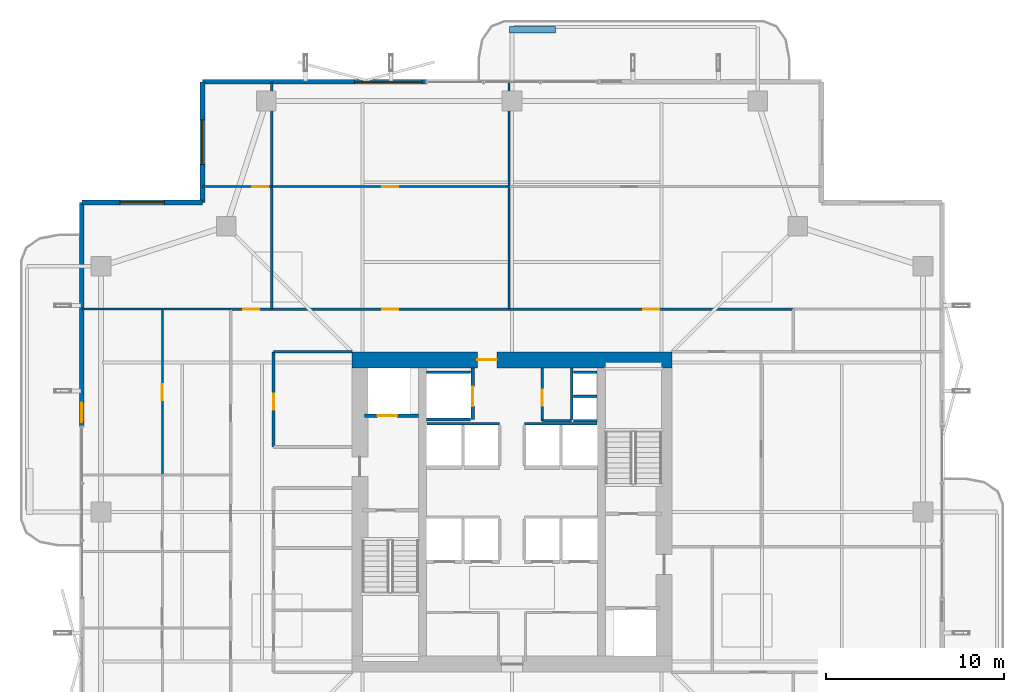
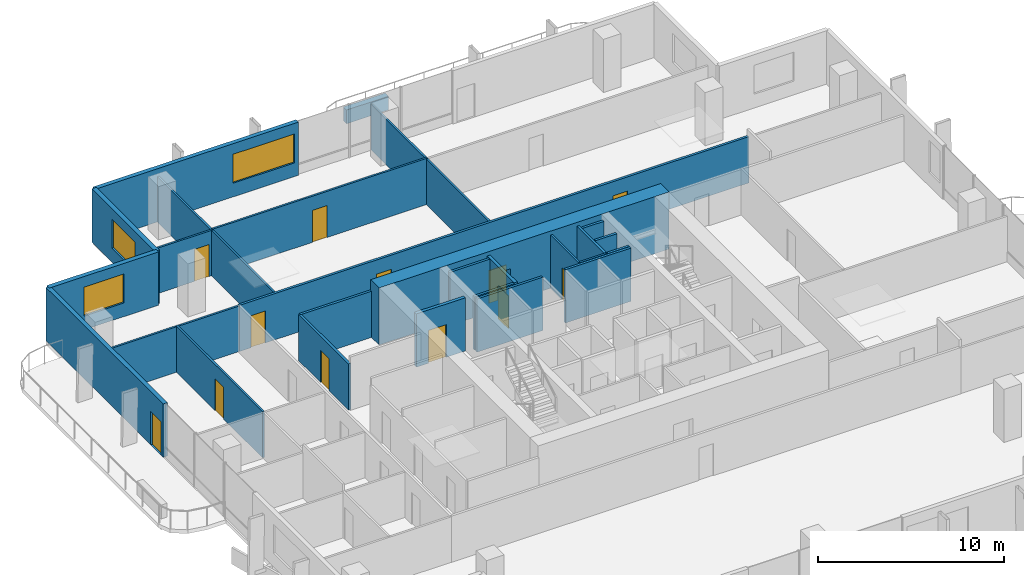
# One storey, part 21 of 25: 27 walls, 12 doors, 3 windows, 15 openings.
"""IFC4 building model written with IfcOpenShell, lengths in metres."""

from ifc_helpers import new_model, si_unit, direction, frame, frame_2d, origin, place, context, subcontext, project, spatial, rectangle, extrude, material, layer, layer_set, type_object, element, fill, save


model = new_model("IFC4")

# Units and contexts
model_context = context("Model", 3, precision=1e-05, world=origin(), true_north=direction((0.0, 1.0)))
body_context = subcontext(model_context, "Body", "Model", "MODEL_VIEW")
ifc_project = project(units=[si_unit("LENGTHUNIT", "METRE"), si_unit("AREAUNIT", "SQUARE_METRE"), si_unit("VOLUMEUNIT", "CUBIC_METRE"), si_unit("PLANEANGLEUNIT", "RADIAN"), si_unit("MASSUNIT", "GRAM", prefix="KILO")], contexts=[model_context])

# Site, building, storey
site_placement = place(None, origin())
site = spatial("IfcSite", under=ifc_project, at=site_placement, CompositionType="ELEMENT")
building_placement = place(site_placement, origin())
building = spatial("IfcBuilding", under=site, at=building_placement, Name="Belovzor Exchange Tower", CompositionType="ELEMENT")
storey_placement = place(building_placement, frame((0.0, 0.0, 172.050048828125)))
storey = spatial("IfcBuildingStorey", under=building, at=storey_placement, Name="L42", CompositionType="ELEMENT", Elevation=172.050048828125)

# Wall, opening, door
ifc_material_1 = material(Name="Acoustic Plasterboard on Galvanised Studs", Category="gypsum")
ifc_layer_1 = layer(ifc_material_1, 0.1201171875)
ifc_layer_set_1 = layer_set([ifc_layer_1], Name="Acoustic Plasterboard on Galvanised Studs")
wall_type_1 = type_object("IfcWallType", Name="Acoustic Double-Stud Partition Wall 120", PredefinedType="PARTITIONING", material=ifc_layer_set_1)
wall_1_placement = place(storey_placement, frame((11.39990234375, 47.0830078125, 0.0), z_axis=(0.0, 0.0, 1.0), x_axis=(1.0, 0.0, 0.0)))
wall_1 = element("IfcWall", 1, at=wall_1_placement, inside=storey, type_object=wall_type_1, Name="W-P120 Partition Wall W-L42-NHDIV-0", PredefinedType="PARTITIONING", context=body_context, shape_type="SweptSolid", body=[
    extrude(rectangle(XDim=3.900146484375, YDim=0.1201171875, at=frame_2d((1.9501953125, 0.0))), origin(), (0.0, 0.0, 1.0), 2.97998046875),
])
opening_1_placement = place(wall_1_placement, frame((2.800048828125, 0.0, 0.0)))
opening_1 = element("IfcOpeningElement", 2, at=opening_1_placement, cuts=wall_1, Name="Opening D-INT-090", PredefinedType="OPENING", context=body_context, shape_type="SweptSolid", body=[
    extrude(rectangle(XDim=0.89990234375, YDim=2.10009765625, at=frame_2d((0.449951171875, 1.050048828125))), frame((0.0, 0.070068359375, 0.0), z_axis=(0.0, -1.0, 0.0), x_axis=(1.0, 0.0, 0.0)), (0.0, 0.0, 1.0), 0.14013671875),
])
ifc_material_2 = material(Name="Veneered Hardwood Acoustic Leaf", Category="wood")
door_type_1 = type_object("IfcDoorType", Name="Trading Suite Acoustic Single Door 900x2100", OperationType="NOTDEFINED", PredefinedType="DOOR", material=ifc_material_2)
door_1_placement = place(opening_1_placement, origin())
door_1 = element("IfcDoor", 3, at=door_1_placement, inside=storey, type_object=door_type_1, Name="D-INT-090 Trading Suite Acoustic Single Door 900x2100", OperationType="SINGLE_SWING_RIGHT", OverallHeight=2.10009765625, OverallWidth=0.89990234375, PredefinedType="DOOR", context=body_context, shape_type="SweptSolid", body=[
    extrude(rectangle(XDim=0.89990234375, YDim=2.10009765625, at=frame_2d((0.449951171875, 1.050048828125))), frame((0.0, 0.02490234375, 0.0), z_axis=(0.0, -1.0, 0.0), x_axis=(1.0, 0.0, 0.0)), (0.0, 0.0, 1.0), 0.050048828125),
])
fill(opening_1, door_1)

# Wall
wall_2_placement = place(storey_placement, frame((15.300048828125, 40.199951171875, 0.0), z_axis=(0.0, 0.0, 1.0), x_axis=(0.0, 1.0, 0.0)))
element("IfcWall", 4, at=wall_2_placement, inside=storey, type_object=wall_type_1, Name="W-P120 Partition Wall W-L42-NDIV-1", PredefinedType="PARTITIONING", context=body_context, shape_type="SweptSolid", body=[
    extrude(rectangle(XDim=12.77001953125, YDim=0.1201171875, at=frame_2d((6.385009765625, 0.0))), origin(), (0.0, 0.0, 1.0), 2.97998046875),
])

# Wall, opening, door
wall_3_placement = place(storey_placement, frame((15.300048828125, 47.0830078125, 0.0), z_axis=(0.0, 0.0, 1.0), x_axis=(1.0, 0.0, 0.0)))
wall_3 = element("IfcWall", 5, at=wall_3_placement, inside=storey, type_object=wall_type_1, Name="W-P120 Partition Wall W-L42-NHDIV-1", PredefinedType="PARTITIONING", context=body_context, shape_type="SweptSolid", body=[
    extrude(rectangle(XDim=13.3310546875, YDim=0.1201171875, at=frame_2d((6.66552734375, 0.0))), origin(), (0.0, 0.0, 1.0), 3.030029296875),
])
opening_2_placement = place(wall_3_placement, frame((6.216064453125, 0.0, 0.0)))
opening_2 = element("IfcOpeningElement", 6, at=opening_2_placement, cuts=wall_3, Name="Opening D-INT-090", PredefinedType="OPENING", context=body_context, shape_type="SweptSolid", body=[
    extrude(rectangle(XDim=0.89990234375, YDim=2.10009765625, at=frame_2d((0.449951171875, 1.050048828125))), frame((0.0, 0.070068359375, 0.0), z_axis=(0.0, -1.0, 0.0), x_axis=(1.0, 0.0, 0.0)), (0.0, 0.0, 1.0), 0.14013671875),
])
door_2_placement = place(opening_2_placement, origin())
door_2 = element("IfcDoor", 7, at=door_2_placement, inside=storey, type_object=door_type_1, Name="D-INT-090 Trading Suite Acoustic Single Door 900x2100", OperationType="SINGLE_SWING_RIGHT", OverallHeight=2.10009765625, OverallWidth=0.89990234375, PredefinedType="DOOR", context=body_context, shape_type="SweptSolid", body=[
    extrude(rectangle(XDim=0.89990234375, YDim=2.10009765625, at=frame_2d((0.449951171875, 1.050048828125))), frame((0.0, 0.02490234375, 0.0), z_axis=(0.0, -1.0, 0.0), x_axis=(1.0, 0.0, 0.0)), (0.0, 0.0, 1.0), 0.050048828125),
])
fill(opening_2, door_2)

# Wall
wall_4_placement = place(storey_placement, frame((28.631103515625, 40.199951171875, 0.0), z_axis=(0.0, 0.0, 1.0), x_axis=(0.0, 1.0, 0.0)))
element("IfcWall", 8, at=wall_4_placement, inside=storey, type_object=wall_type_1, Name="W-P120 Partition Wall W-L42-NDIV-2", PredefinedType="PARTITIONING", context=body_context, shape_type="SweptSolid", body=[
    extrude(rectangle(XDim=12.77001953125, YDim=0.1201171875, at=frame_2d((6.385009765625, 0.0))), origin(), (0.0, 0.0, 1.0), 2.97998046875),
])

# Wall, opening, door
wall_5_placement = place(storey_placement, frame((9.14990234375, 30.876953125, 0.0), z_axis=(0.0, 0.0, 1.0), x_axis=(0.0, 1.0, 0.0)))
wall_5 = element("IfcWall", 9, at=wall_5_placement, inside=storey, type_object=wall_type_1, Name="W-P120 Partition Wall W-L42-WHDIV-3", PredefinedType="PARTITIONING", context=body_context, shape_type="SweptSolid", body=[
    extrude(rectangle(XDim=9.322998046875, YDim=0.1201171875, at=frame_2d((4.66162109375, 0.0))), origin(), (0.0, 0.0, 1.0), 3.030029296875),
])
opening_3_placement = place(wall_5_placement, frame((4.2119140625, 0.0, 0.0)))
opening_3 = element("IfcOpeningElement", 10, at=opening_3_placement, cuts=wall_5, Name="Opening D-INT-090", PredefinedType="OPENING", context=body_context, shape_type="SweptSolid", body=[
    extrude(rectangle(XDim=0.89990234375, YDim=2.10009765625, at=frame_2d((0.449951171875, 1.050048828125))), frame((0.0, 0.070068359375, 0.0), z_axis=(0.0, -1.0, 0.0), x_axis=(1.0, 0.0, 0.0)), (0.0, 0.0, 1.0), 0.14013671875),
])
door_3_placement = place(opening_3_placement, origin())
door_3 = element("IfcDoor", 11, at=door_3_placement, inside=storey, type_object=door_type_1, Name="D-INT-090 Trading Suite Acoustic Single Door 900x2100", OperationType="SINGLE_SWING_LEFT", OverallHeight=2.10009765625, OverallWidth=0.89990234375, PredefinedType="DOOR", context=body_context, shape_type="SweptSolid", body=[
    extrude(rectangle(XDim=0.89990234375, YDim=2.10009765625, at=frame_2d((0.449951171875, 1.050048828125))), frame((0.0, 0.02490234375, 0.0), z_axis=(0.0, -1.0, 0.0), x_axis=(1.0, 0.0, 0.0)), (0.0, 0.0, 1.0), 0.050048828125),
])
fill(opening_3, door_3)

# Wall
wall_6_placement = place(storey_placement, frame((4.6298828125, 40.199951171875, 0.0), z_axis=(0.0, 0.0, 1.0), x_axis=(1.0, 0.0, 0.0)))
element("IfcWall", 12, at=wall_6_placement, inside=storey, type_object=wall_type_1, Name="W-P120 Partition Wall W-L42-END-NW", PredefinedType="PARTITIONING", context=body_context, shape_type="SweptSolid", body=[
    extrude(rectangle(XDim=8.3701171875, YDim=0.1201171875, at=frame_2d((4.18505859375, 0.0))), origin(), (0.0, 0.0, 1.0), 2.97998046875),
])

# Wall, opening, door
ifc_material_3 = material(Name="Fire-Rated Plasterboard on Galvanised Studs", Category="gypsum")
ifc_layer_2 = layer(ifc_material_3, 0.1201171875)
ifc_layer_set_2 = layer_set([ifc_layer_2], Name="Fire-Rated Plasterboard on Galvanised Studs")
wall_type_2 = type_object("IfcWallType", Name="Fire-Rated Double-Stud Partition Wall 120", PredefinedType="PARTITIONING", material=ifc_layer_set_2)
wall_7_placement = place(storey_placement, frame((30.5, 33.925048828125, 0.0), z_axis=(0.0, 0.0, 1.0), x_axis=(0.0, 1.0, 0.0)))
wall_7 = element("IfcWall", 13, at=wall_7_placement, inside=storey, type_object=wall_type_2, Name="W-P120F Partition Wall W-CRV-L42-W", PredefinedType="PARTITIONING", context=body_context, shape_type="SweptSolid", body=[
    extrude(rectangle(XDim=2.974853515625, YDim=0.1201171875, at=frame_2d((1.4873046875, 0.0))), origin(), (0.0, 0.0, 1.0), 3.494873046875),
])
opening_4_placement = place(wall_7_placement, frame((0.85009765625, 0.0, 0.0)))
opening_4 = element("IfcOpeningElement", 14, at=opening_4_placement, cuts=wall_7, Name="Opening D-FD60-090", PredefinedType="OPENING", context=body_context, shape_type="SweptSolid", body=[
    extrude(rectangle(XDim=0.89990234375, YDim=2.10009765625, at=frame_2d((0.449951171875, 1.050048828125))), frame((0.0, 0.070068359375, 0.0), z_axis=(0.0, -1.0, 0.0), x_axis=(1.0, 0.0, 0.0)), (0.0, 0.0, 1.0), 0.14013671875),
])
ifc_material_4 = material(Name="Acoustic Timber Fire Leaf", Category="wood")
door_type_2 = type_object("IfcDoorType", Name="Core Service & Restroom Fire Door 900x2100", OperationType="NOTDEFINED", PredefinedType="DOOR", material=ifc_material_4)
door_4_placement = place(opening_4_placement, origin())
door_4 = element("IfcDoor", 15, at=door_4_placement, inside=storey, type_object=door_type_2, Name="D-FD60-090 Core Service & Restroom Fire Door 900x2100", OperationType="SINGLE_SWING_LEFT", OverallHeight=2.10009765625, OverallWidth=0.89990234375, PredefinedType="DOOR", context=body_context, shape_type="SweptSolid", body=[
    extrude(rectangle(XDim=0.89990234375, YDim=2.10009765625, at=frame_2d((0.449951171875, 1.050048828125))), frame((0.0, 0.02490234375, 0.0), z_axis=(0.0, -1.0, 0.0), x_axis=(1.0, 0.0, 0.0)), (0.0, 0.0, 1.0), 0.050048828125),
])
fill(opening_4, door_4)

# Walls
wall_8_placement = place(storey_placement, frame((30.5, 33.925048828125, 0.0), z_axis=(0.0, 0.0, 1.0), x_axis=(1.0, 0.0, 0.0)))
element("IfcWall", 16, at=wall_8_placement, inside=storey, type_object=wall_type_2, Name="W-P120F Partition Wall W-CRV-L42-S", PredefinedType="PARTITIONING", context=body_context, shape_type="SweptSolid", body=[
    extrude(rectangle(XDim=1.64990234375, YDim=0.1201171875, at=frame_2d((0.824951171875, 0.0))), origin(), (0.0, 0.0, 1.0), 3.494873046875),
])
ifc_material_5 = material(Name="Fire-Rated Gypsum Block and Mineral Wool", Category="gypsum")
ifc_layer_3 = layer(ifc_material_5, 0.14990234375)
ifc_layer_set_3 = layer_set([ifc_layer_3], Name="Fire-Rated Gypsum Block and Mineral Wool")
wall_type_3 = type_object("IfcWallType", Name="Fire-Rated Gypsum Block Corridor Wall 150", PredefinedType="PARTITIONING", material=ifc_layer_set_3)
wall_9_placement = place(storey_placement, frame((15.39990234375, 37.800048828125, 0.0), z_axis=(0.0, 0.0, 1.0), x_axis=(1.0, 0.0, 0.0)))
element("IfcWall", 17, at=wall_9_placement, inside=storey, type_object=wall_type_3, Name="W-P150 Partition Wall W-L42-INW-N", PredefinedType="PARTITIONING", context=body_context, shape_type="SweptSolid", body=[
    extrude(rectangle(XDim=4.400146484375, YDim=0.14990234375, at=frame_2d((2.2001953125, 0.0))), origin(), (0.0, 0.0, 1.0), 3.030029296875),
])

# Wall, opening, door
wall_10_placement = place(storey_placement, frame((15.39990234375, 32.449951171875, 0.0), z_axis=(0.0, 0.0, 1.0), x_axis=(0.0, 1.0, 0.0)))
wall_10 = element("IfcWall", 18, at=wall_10_placement, inside=storey, type_object=wall_type_3, Name="W-P150 Partition Wall W-L42-WIE-N", PredefinedType="PARTITIONING", context=body_context, shape_type="SweptSolid", body=[
    extrude(rectangle(XDim=5.35009765625, YDim=0.14990234375, at=frame_2d((2.675048828125, 0.0))), origin(), (0.0, 0.0, 1.0), 3.030029296875),
])
opening_5_placement = place(wall_10_placement, frame((2.10009765625, 0.0, 0.0)))
opening_5 = element("IfcOpeningElement", 19, at=opening_5_placement, cuts=wall_10, Name="Opening D-FD60-090", PredefinedType="OPENING", context=body_context, shape_type="SweptSolid", body=[
    extrude(rectangle(XDim=0.89990234375, YDim=2.10009765625, at=frame_2d((0.449951171875, 1.050048828125))), frame((0.0, 0.0849609375, 0.0), z_axis=(0.0, -1.0, 0.0), x_axis=(1.0, 0.0, 0.0)), (0.0, 0.0, 1.0), 0.169921875),
])
door_5_placement = place(opening_5_placement, origin())
door_5 = element("IfcDoor", 20, at=door_5_placement, inside=storey, type_object=door_type_2, Name="D-FD60-090 Core Service & Restroom Fire Door 900x2100", OperationType="SINGLE_SWING_LEFT", OverallHeight=2.10009765625, OverallWidth=0.89990234375, PredefinedType="DOOR", context=body_context, shape_type="SweptSolid", body=[
    extrude(rectangle(XDim=0.89990234375, YDim=2.10009765625, at=frame_2d((0.449951171875, 1.050048828125))), frame((0.0, 0.02490234375, 0.0), z_axis=(0.0, -1.0, 0.0), x_axis=(1.0, 0.0, 0.0)), (0.0, 0.0, 1.0), 0.050048828125),
])
fill(opening_5, door_5)

# Wall, openings, doors
wall_11_placement = place(storey_placement, frame((13.0, 40.199951171875, 0.0), z_axis=(0.0, 0.0, 1.0), x_axis=(1.0, 0.0, 0.0)))
wall_11 = element("IfcWall", 21, at=wall_11_placement, inside=storey, type_object=wall_type_3, Name="W-P150 Partition Wall W-L42-CN", PredefinedType="PARTITIONING", context=body_context, shape_type="SweptSolid", body=[
    extrude(rectangle(XDim=31.60009765625, YDim=0.14990234375, at=frame_2d((15.800048828125, 0.0))), origin(), (0.0, 0.0, 1.0), 3.030029296875),
])
opening_6_placement = place(wall_11_placement, frame((0.699951171875, 0.0, 0.0)))
opening_6 = element("IfcOpeningElement", 22, at=opening_6_placement, cuts=wall_11, Name="Opening D-INT-090", PredefinedType="OPENING", context=body_context, shape_type="SweptSolid", body=[
    extrude(rectangle(XDim=0.89990234375, YDim=2.10009765625, at=frame_2d((0.449951171875, 1.050048828125))), frame((0.0, 0.0849609375, 0.0), z_axis=(0.0, -1.0, 0.0), x_axis=(1.0, 0.0, 0.0)), (0.0, 0.0, 1.0), 0.169921875),
])
opening_7_placement = place(wall_11_placement, frame((8.514892578125, 0.0, 0.0)))
opening_7 = element("IfcOpeningElement", 23, at=opening_7_placement, cuts=wall_11, Name="Opening D-INT-090", PredefinedType="OPENING", context=body_context, shape_type="SweptSolid", body=[
    extrude(rectangle(XDim=0.89990234375, YDim=2.10009765625, at=frame_2d((0.449951171875, 1.050048828125))), frame((0.0, 0.0849609375, 0.0), z_axis=(0.0, -1.0, 0.0), x_axis=(1.0, 0.0, 0.0)), (0.0, 0.0, 1.0), 0.169921875),
])
opening_8_placement = place(wall_11_placement, frame((23.1650390625, 0.0, 0.0)))
opening_8 = element("IfcOpeningElement", 24, at=opening_8_placement, cuts=wall_11, Name="Opening D-INT-090", PredefinedType="OPENING", context=body_context, shape_type="SweptSolid", body=[
    extrude(rectangle(XDim=0.89990234375, YDim=2.10009765625, at=frame_2d((0.449951171875, 1.050048828125))), frame((0.0, 0.0849609375, 0.0), z_axis=(0.0, -1.0, 0.0), x_axis=(1.0, 0.0, 0.0)), (0.0, 0.0, 1.0), 0.169921875),
])
door_6_placement = place(opening_6_placement, origin())
door_6 = element("IfcDoor", 25, at=door_6_placement, inside=storey, type_object=door_type_1, Name="D-INT-090 Trading Suite Acoustic Single Door 900x2100", OperationType="SINGLE_SWING_RIGHT", OverallHeight=2.10009765625, OverallWidth=0.89990234375, PredefinedType="DOOR", context=body_context, shape_type="SweptSolid", body=[
    extrude(rectangle(XDim=0.89990234375, YDim=2.10009765625, at=frame_2d((0.449951171875, 1.050048828125))), frame((0.0, 0.02490234375, 0.0), z_axis=(0.0, -1.0, 0.0), x_axis=(1.0, 0.0, 0.0)), (0.0, 0.0, 1.0), 0.050048828125),
])
fill(opening_6, door_6)
door_7_placement = place(opening_7_placement, origin())
door_7 = element("IfcDoor", 26, at=door_7_placement, inside=storey, type_object=door_type_1, Name="D-INT-090 Trading Suite Acoustic Single Door 900x2100", OperationType="SINGLE_SWING_LEFT", OverallHeight=2.10009765625, OverallWidth=0.89990234375, PredefinedType="DOOR", context=body_context, shape_type="SweptSolid", body=[
    extrude(rectangle(XDim=0.89990234375, YDim=2.10009765625, at=frame_2d((0.449951171875, 1.050048828125))), frame((0.0, 0.02490234375, 0.0), z_axis=(0.0, -1.0, 0.0), x_axis=(1.0, 0.0, 0.0)), (0.0, 0.0, 1.0), 0.050048828125),
])
fill(opening_7, door_7)
door_8_placement = place(opening_8_placement, origin())
door_8 = element("IfcDoor", 27, at=door_8_placement, inside=storey, type_object=door_type_1, Name="D-INT-090 Trading Suite Acoustic Single Door 900x2100", OperationType="SINGLE_SWING_RIGHT", OverallHeight=2.10009765625, OverallWidth=0.89990234375, PredefinedType="DOOR", context=body_context, shape_type="SweptSolid", body=[
    extrude(rectangle(XDim=0.89990234375, YDim=2.10009765625, at=frame_2d((0.449951171875, 1.050048828125))), frame((0.0, 0.02490234375, 0.0), z_axis=(0.0, -1.0, 0.0), x_axis=(1.0, 0.0, 0.0)), (0.0, 0.0, 1.0), 0.050048828125),
])
fill(opening_8, door_8)

# Wall, opening, window
ifc_material_6 = material(Name="Precast concrete C40/50", Category="concrete")
ifc_layer_4 = layer(ifc_material_6, 0.280029296875)
ifc_layer_set_4 = layer_set([ifc_layer_4], Name="Precast concrete C40/50")
wall_type_4 = type_object("IfcWallType", Name="Precast Concrete Notched Corner Frame Wall 280", PredefinedType="SOLIDWALL", material=ifc_layer_set_4)
wall_12_placement = place(storey_placement, frame((4.6298828125, 46.199951171875, 0.0), z_axis=(0.0, 0.0, 1.0), x_axis=(1.0, 0.0, 0.0)))
wall_12 = element("IfcWall", 28, at=wall_12_placement, inside=storey, type_object=wall_type_4, Name="W-CRN280 Precast Concrete Notched Corner Frame Wall 280 L42", PredefinedType="SOLIDWALL", context=body_context, shape_type="SweptSolid", body=[
    extrude(rectangle(XDim=6.77001953125, YDim=0.280029296875, at=frame_2d((3.385009765625, 0.0))), origin(), (0.0, 0.0, 1.0), 3.494873046875),
])
opening_9_placement = place(wall_12_placement, frame((2.135009765625, 0.0, 0.89990234375)))
opening_9 = element("IfcOpeningElement", 29, at=opening_9_placement, cuts=wall_12, Name="Opening WN-CRN250", PredefinedType="OPENING", context=body_context, shape_type="SweptSolid", body=[
    extrude(rectangle(XDim=2.5, YDim=1.89990234375, at=frame_2d((1.25, 0.949951171875))), frame((0.0, 0.14990234375, 0.0), z_axis=(0.0, -1.0, 0.0), x_axis=(1.0, 0.0, 0.0)), (0.0, 0.0, 1.0), 0.300048828125),
])
ifc_material_7 = material(Name="Thermally Broken Aluminium and Triple Glazing", Category="aluminium")
window_type_1 = type_object("IfcWindowType", Name="Streamline Moderne Corner Wrap Ribbon Window 2500x1900", PartitioningType="SINGLE_PANEL", PredefinedType="WINDOW", material=ifc_material_7)
window_1_placement = place(opening_9_placement, origin())
window_1 = element("IfcWindow", 30, at=window_1_placement, inside=storey, type_object=window_type_1, Name="WN-CRN250 Streamline Moderne Corner Wrap Ribbon Window 2500x1900", OverallHeight=1.89990234375, OverallWidth=2.5, PartitioningType="SINGLE_PANEL", PredefinedType="WINDOW", context=body_context, shape_type="SweptSolid", body=[
    extrude(rectangle(XDim=2.5, YDim=1.89990234375, at=frame_2d((1.25, 0.949951171875))), frame((0.0, 0.030029296875, 0.0), z_axis=(0.0, -1.0, 0.0), x_axis=(1.0, 0.0, 0.0)), (0.0, 0.0, 1.0), 0.06005859375),
])
fill(opening_9, window_1)

wall_13_placement = place(storey_placement, frame((11.39990234375, 46.199951171875, 0.0), z_axis=(0.0, 0.0, 1.0), x_axis=(0.0, 1.0, 0.0)))
wall_13 = element("IfcWall", 31, at=wall_13_placement, inside=storey, type_object=wall_type_4, Name="W-CRN280 Precast Concrete Notched Corner Frame Wall 280 L42", PredefinedType="SOLIDWALL", context=body_context, shape_type="SweptSolid", body=[
    extrude(rectangle(XDim=6.77001953125, YDim=0.280029296875, at=frame_2d((3.385009765625, 0.0))), origin(), (0.0, 0.0, 1.0), 3.494873046875),
])
opening_10_placement = place(wall_13_placement, frame((2.135009765625, 0.0, 0.89990234375)))
opening_10 = element("IfcOpeningElement", 32, at=opening_10_placement, cuts=wall_13, Name="Opening WN-CRN250", PredefinedType="OPENING", context=body_context, shape_type="SweptSolid", body=[
    extrude(rectangle(XDim=2.5, YDim=1.89990234375, at=frame_2d((1.25, 0.949951171875))), frame((0.0, 0.14990234375, 0.0), z_axis=(0.0, -1.0, 0.0), x_axis=(1.0, 0.0, 0.0)), (0.0, 0.0, 1.0), 0.300048828125),
])
window_2_placement = place(opening_10_placement, origin())
window_2 = element("IfcWindow", 33, at=window_2_placement, inside=storey, type_object=window_type_1, Name="WN-CRN250 Streamline Moderne Corner Wrap Ribbon Window 2500x1900", OverallHeight=1.89990234375, OverallWidth=2.5, PartitioningType="SINGLE_PANEL", PredefinedType="WINDOW", context=body_context, shape_type="SweptSolid", body=[
    extrude(rectangle(XDim=2.5, YDim=1.89990234375, at=frame_2d((1.25, 0.949951171875))), frame((0.0, 0.030029296875, 0.0), z_axis=(0.0, -1.0, 0.0), x_axis=(1.0, 0.0, 0.0)), (0.0, 0.0, 1.0), 0.06005859375),
])
fill(opening_10, window_2)

ifc_material_8 = material(Name="Precast concrete C40/50", Category="concrete")
ifc_layer_5 = layer(ifc_material_8, 0.260009765625)
ifc_layer_set_5 = layer_set([ifc_layer_5], Name="Precast concrete C40/50")
wall_type_5 = type_object("IfcWallType", Name="Precast Concrete Perimeter Loggia Frame Wall 260", PredefinedType="SOLIDWALL", material=ifc_layer_set_5)
wall_14_placement = place(storey_placement, frame((11.39990234375, 52.969970703125, 0.0), z_axis=(0.0, 0.0, 1.0), x_axis=(1.0, 0.0, 0.0)))
wall_14 = element("IfcWall", 34, at=wall_14_placement, inside=storey, type_object=wall_type_5, Name="W-EXT260 Precast Concrete Perimeter Loggia Frame Wall 260 L42", PredefinedType="SOLIDWALL", context=body_context, shape_type="SweptSolid", body=[
    extrude(rectangle(XDim=12.60009765625, YDim=0.260009765625, at=frame_2d((6.300048828125, 0.0))), origin(), (0.0, 0.0, 1.0), 3.494873046875),
])
opening_11_placement = place(wall_14_placement, frame((8.550048828125, 0.0, 0.89990234375)))
opening_11 = element("IfcOpeningElement", 35, at=opening_11_placement, cuts=wall_14, Name="Opening WN-RIB380", PredefinedType="OPENING", context=body_context, shape_type="SweptSolid", body=[
    extrude(rectangle(XDim=3.800048828125, YDim=1.89990234375, at=frame_2d((1.89990234375, 0.949951171875))), frame((0.0, 0.139892578125, 0.0), z_axis=(0.0, -1.0, 0.0), x_axis=(1.0, 0.0, 0.0)), (0.0, 0.0, 1.0), 0.280029296875),
])
ifc_material_9 = material(Name="Thermally Broken Aluminium and Triple Glazing", Category="aluminium")
window_type_2 = type_object("IfcWindowType", Name="Streamline Moderne Horizontal Ribbon Window 3800x1900", PartitioningType="SINGLE_PANEL", PredefinedType="WINDOW", material=ifc_material_9)
window_3_placement = place(opening_11_placement, origin())
window_3 = element("IfcWindow", 36, at=window_3_placement, inside=storey, type_object=window_type_2, Name="WN-RIB380 Streamline Moderne Horizontal Ribbon Window 3800x1900", OverallHeight=1.89990234375, OverallWidth=3.800048828125, PartitioningType="SINGLE_PANEL", PredefinedType="WINDOW", context=body_context, shape_type="SweptSolid", body=[
    extrude(rectangle(XDim=3.800048828125, YDim=1.89990234375, at=frame_2d((1.89990234375, 0.949951171875))), frame((0.0, 0.030029296875, 0.0), z_axis=(0.0, -1.0, 0.0), x_axis=(1.0, 0.0, 0.0)), (0.0, 0.0, 1.0), 0.06005859375),
])
fill(opening_11, window_3)

# Wall, opening, door
wall_15_placement = place(storey_placement, frame((4.6298828125, 33.60009765625, 0.0), z_axis=(0.0, 0.0, 1.0), x_axis=(0.0, 1.0, 0.0)))
wall_15 = element("IfcWall", 37, at=wall_15_placement, inside=storey, type_object=wall_type_5, Name="W-EXT260 Precast Concrete Perimeter Loggia Frame Wall 260 L42", PredefinedType="SOLIDWALL", context=body_context, shape_type="SweptSolid", body=[
    extrude(rectangle(XDim=12.599853515625, YDim=0.260009765625, at=frame_2d((6.2998046875, 0.0))), origin(), (0.0, 0.0, 1.0), 3.494873046875),
])
opening_12_placement = place(wall_15_placement, frame((0.25, 0.0, 0.0)))
opening_12 = element("IfcOpeningElement", 38, at=opening_12_placement, cuts=wall_15, Name="Opening D-BAL110", PredefinedType="OPENING", context=body_context, shape_type="SweptSolid", body=[
    extrude(rectangle(XDim=1.10009765625, YDim=2.199951171875, at=frame_2d((0.550048828125, 1.10009765625))), frame((0.0, 0.139892578125, 0.0), z_axis=(0.0, -1.0, 0.0), x_axis=(1.0, 0.0, 0.0)), (0.0, 0.0, 1.0), 0.280029296875),
])
ifc_material_10 = material(Name="Thermally Broken Anodised Aluminium and Laminated Glass", Category="aluminium")
door_type_3 = type_object("IfcDoorType", Name="Planted Loggia Terrace Glazed Door 1100x2200", OperationType="SINGLE_SWING_LEFT", PredefinedType="DOOR", material=ifc_material_10)
door_9_placement = place(opening_12_placement, origin())
door_9 = element("IfcDoor", 39, at=door_9_placement, inside=storey, type_object=door_type_3, Name="D-BAL110 Balcony Terrace Door L42 W", OperationType="SINGLE_SWING_RIGHT", OverallHeight=2.199951171875, OverallWidth=1.10009765625, PredefinedType="DOOR", context=body_context, shape_type="SweptSolid", body=[
    extrude(rectangle(XDim=1.10009765625, YDim=2.199951171875, at=frame_2d((0.550048828125, 1.10009765625))), frame((0.0, 0.02490234375, 0.0), z_axis=(0.0, -1.0, 0.0), x_axis=(1.0, 0.0, 0.0)), (0.0, 0.0, 1.0), 0.050048828125),
])
fill(opening_12, door_9)

# Walls
ifc_material_11 = material(Name="Precast concrete C40/50", Category="concrete")
ifc_layer_6 = layer(ifc_material_11, 0.35009765625)
ifc_layer_set_6 = layer_set([ifc_layer_6], Name="Precast concrete C40/50")
wall_type_6 = type_object("IfcWallType", Name="Precast Concrete Structural Tree Planter Trough 350", PredefinedType="PARAPET", material=ifc_layer_set_6)
wall_16_placement = place(storey_placement, frame((28.64990234375, 55.89990234375, 0.0), z_axis=(0.0, 0.0, 1.0), x_axis=(1.0, 0.0, 0.0)))
element("IfcWall", 40, at=wall_16_placement, inside=storey, type_object=wall_type_6, Name="PT-350 Precast Concrete Structural Tree Planter Trough 350 L42", PredefinedType="PARAPET", context=body_context, shape_type="SweptSolid", body=[
    extrude(rectangle(XDim=2.60009765625, YDim=0.35009765625, at=frame_2d((1.300048828125, 0.0))), origin(), (0.0, 0.0, 1.0), 0.89990234375),
])
ifc_material_12 = material(Name="Concrete C50/60", Category="concrete")
ifc_layer_7 = layer(ifc_material_12, 0.14990234375)
ifc_layer_set_7 = layer_set([ifc_layer_7], Name="Concrete C50/60")
wall_type_7 = type_object("IfcWallType", Name="Reinforced Concrete Core Riser Shear Wall 150", PredefinedType="SHEAR", material=ifc_layer_set_7)
wall_17_placement = place(storey_placement, frame((32.14990234375, 34.0, 0.0), z_axis=(0.0, 0.0, 1.0), x_axis=(0.0, 1.0, 0.0)))
element("IfcWall", 41, at=wall_17_placement, inside=storey, type_object=wall_type_7, Name="W-C150S Core Shaft Wall W-RSR-L42-E", PredefinedType="SHEAR", context=body_context, shape_type="SweptSolid", body=[
    extrude(rectangle(XDim=2.89990234375, YDim=0.14990234375, at=frame_2d((1.449951171875, 0.0))), origin(), (0.0, 0.0, 1.0), 3.494873046875),
])
for number, where, z_axis, x_axis, name in (
    (42, (32.25, 33.925048828125, 0.0), (0.0, 0.0, 1.0), (1.0, 0.0, 0.0), "W-C150S Core Shaft Wall W-RSR-L42-S"),
    (43, (32.25, 35.300048828125, 0.0), (0.0, 0.0, 1.0), (1.0, 0.0, 0.0), "W-C150S Core Shaft Wall W-RSR-L42-M"),
):
    element("IfcWall", number, at=place(storey_placement, frame(where, z_axis=z_axis, x_axis=x_axis)), inside=storey, type_object=wall_type_7, Name=name, PredefinedType="SHEAR", context=body_context, shape_type="SweptSolid", body=[
        extrude(rectangle(XDim=1.330078125, YDim=0.14990234375, at=frame_2d((0.6650390625, 0.0))), origin(), (0.0, 0.0, 1.0), 3.494873046875),
    ])
for number, where, z_axis, x_axis, name in (
    (44, (24.0, 34.0, 0.0), (0.0, 0.0, 1.0), (1.0, 0.0, 0.0), "W-C150S Core Shaft Wall W-SH-L42-SL-01S"),
    (45, (24.0, 36.64990234375, 0.0), (0.0, 0.0, 1.0), (1.0, 0.0, 0.0), "W-C150S Core Shaft Wall W-SH-L42-SL-01N"),
):
    element("IfcWall", number, at=place(storey_placement, frame(where, z_axis=z_axis, x_axis=x_axis)), inside=storey, type_object=wall_type_7, Name=name, PredefinedType="SHEAR", context=body_context, shape_type="SweptSolid", body=[
        extrude(rectangle(XDim=2.47998046875, YDim=0.14990234375, at=frame_2d((1.239990234375, 0.0))), origin(), (0.0, 0.0, 1.0), 3.494873046875),
    ])
wall_18_placement = place(storey_placement, frame((32.25, 36.64990234375, 0.0), z_axis=(0.0, 0.0, 1.0), x_axis=(1.0, 0.0, 0.0)))
element("IfcWall", 46, at=wall_18_placement, inside=storey, type_object=wall_type_7, Name="W-C150S Core Shaft Wall W-RSR-L42-N", PredefinedType="SHEAR", context=body_context, shape_type="SweptSolid", body=[
    extrude(rectangle(XDim=1.330078125, YDim=0.14990234375, at=frame_2d((0.6650390625, 0.0))), origin(), (0.0, 0.0, 1.0), 3.494873046875),
])
for number, where, z_axis, x_axis, name in (
    (47, (24.02001953125, 33.760009765625, 0.0), (0.0, 0.0, 1.0), (1.0, 0.0, 0.0), "W-C150S Core Shaft Wall W-SHB-L42-PLH-NW"),
    (48, (29.5, 33.760009765625, 0.0), (0.0, 0.0, 1.0), (1.0, 0.0, 0.0), "W-C150S Core Shaft Wall W-SHB-L42-PLH-NE"),
):
    element("IfcWall", number, at=place(storey_placement, frame(where, z_axis=z_axis, x_axis=x_axis)), inside=storey, type_object=wall_type_7, Name=name, PredefinedType="SHEAR", context=body_context, shape_type="SweptSolid", body=[
        extrude(rectangle(XDim=4.080078125, YDim=0.14990234375, at=frame_2d((2.0400390625, 0.0))), origin(), (0.0, 0.0, 1.0), 3.494873046875),
    ])

# Wall, opening, door
ifc_material_13 = material(Name="Concrete C50/60", Category="concrete")
ifc_layer_8 = layer(ifc_material_13, 0.199951171875)
ifc_layer_set_8 = layer_set([ifc_layer_8], Name="Concrete C50/60")
wall_type_8 = type_object("IfcWallType", Name="Reinforced Concrete Core Shaft Shear Wall 200", PredefinedType="SHEAR", material=ifc_layer_set_8)
wall_19_placement = place(storey_placement, frame((20.5, 34.199951171875, 0.0), z_axis=(0.0, 0.0, 1.0), x_axis=(1.0, 0.0, 0.0)))
wall_19 = element("IfcWall", 49, at=wall_19_placement, inside=storey, type_object=wall_type_8, Name="W-C200S Core Shaft Wall W-SH-L42-FFL-01", PredefinedType="SHEAR", context=body_context, shape_type="SweptSolid", body=[
    extrude(rectangle(XDim=3.050048828125, YDim=0.199951171875, at=frame_2d((1.52490234375, 0.0))), origin(), (0.0, 0.0, 1.0), 3.494873046875),
])
opening_13_placement = place(wall_19_placement, frame((0.75, 0.0, 0.0)))
opening_13 = element("IfcOpeningElement", 50, at=opening_13_placement, cuts=wall_19, Name="Opening LD-110", PredefinedType="OPENING", context=body_context, shape_type="SweptSolid", body=[
    extrude(rectangle(XDim=1.10009765625, YDim=2.14990234375, at=frame_2d((0.550048828125, 1.074951171875))), frame((0.0, 0.10986328125, 0.0), z_axis=(0.0, -1.0, 0.0), x_axis=(1.0, 0.0, 0.0)), (0.0, 0.0, 1.0), 0.219970703125),
])
ifc_material_14 = material(Name="Stainless Steel Grade 304", Category="steel")
door_type_4 = type_object("IfcDoorType", Name="Automated Stainless Steel Lift Landing Door 1100x2150", OperationType="SLIDING_TO_RIGHT", PredefinedType="DOOR", material=ifc_material_14)
door_10_placement = place(opening_13_placement, origin())
door_10 = element("IfcDoor", 51, at=door_10_placement, inside=storey, type_object=door_type_4, Name="LD-110 Automated Stainless Steel Lift Landing Door 1100x2150", OperationType="SLIDING_TO_RIGHT", OverallHeight=2.14990234375, OverallWidth=1.10009765625, PredefinedType="DOOR", context=body_context, shape_type="SweptSolid", body=[
    extrude(rectangle(XDim=1.10009765625, YDim=2.14990234375, at=frame_2d((0.550048828125, 1.074951171875))), frame((0.0, 0.02490234375, 0.0), z_axis=(0.0, -1.0, 0.0), x_axis=(1.0, 0.0, 0.0)), (0.0, 0.0, 1.0), 0.050048828125),
])
fill(opening_13, door_10)

wall_20_placement = place(storey_placement, frame((26.60009765625, 34.0, 0.0), z_axis=(0.0, 0.0, 1.0), x_axis=(0.0, 1.0, 0.0)))
wall_20 = element("IfcWall", 52, at=wall_20_placement, inside=storey, type_object=wall_type_8, Name="W-C200S Core Shaft Wall W-SH-L42-SL-01", PredefinedType="SHEAR", context=body_context, shape_type="SweptSolid", body=[
    extrude(rectangle(XDim=2.89990234375, YDim=0.199951171875, at=frame_2d((1.449951171875, 0.0))), origin(), (0.0, 0.0, 1.0), 3.494873046875),
])
opening_14_placement = place(wall_20_placement, frame((0.75, 0.0, 0.0)))
opening_14 = element("IfcOpeningElement", 53, at=opening_14_placement, cuts=wall_20, Name="Opening LD-110", PredefinedType="OPENING", context=body_context, shape_type="SweptSolid", body=[
    extrude(rectangle(XDim=1.10009765625, YDim=2.14990234375, at=frame_2d((0.550048828125, 1.074951171875))), frame((0.0, 0.10986328125, 0.0), z_axis=(0.0, -1.0, 0.0), x_axis=(1.0, 0.0, 0.0)), (0.0, 0.0, 1.0), 0.219970703125),
])
door_11_placement = place(opening_14_placement, origin())
door_11 = element("IfcDoor", 54, at=door_11_placement, inside=storey, type_object=door_type_4, Name="LD-110 Automated Stainless Steel Lift Landing Door 1100x2150", OperationType="SLIDING_TO_RIGHT", OverallHeight=2.14990234375, OverallWidth=1.10009765625, PredefinedType="DOOR", context=body_context, shape_type="SweptSolid", body=[
    extrude(rectangle(XDim=1.10009765625, YDim=2.14990234375, at=frame_2d((0.550048828125, 1.074951171875))), frame((0.0, 0.02490234375, 0.0), z_axis=(0.0, -1.0, 0.0), x_axis=(1.0, 0.0, 0.0)), (0.0, 0.0, 1.0), 0.050048828125),
])
fill(opening_14, door_11)

ifc_material_15 = material(Name="Concrete C60/75", Category="concrete")
ifc_layer_9 = layer(ifc_material_15, 0.89990234375)
ifc_layer_set_9 = layer_set([ifc_layer_9], Name="Concrete C60/75")
wall_type_9 = type_object("IfcWallType", Name="Reinforced Concrete Core Shear Wall 900", PredefinedType="SHEAR", material=ifc_layer_set_9)
wall_21_placement = place(storey_placement, frame((19.800048828125, 37.35009765625, 0.0), z_axis=(0.0, 0.0, 1.0), x_axis=(1.0, 0.0, 0.0)))
wall_21 = element("IfcWall", 55, at=wall_21_placement, inside=storey, type_object=wall_type_9, Name="CW-S090 Core Shear Wall L42 N", PredefinedType="SHEAR", context=body_context, shape_type="SweptSolid", body=[
    extrude(rectangle(XDim=18.0, YDim=0.89990234375, at=frame_2d((9.0, 0.0))), origin(), (0.0, 0.0, 1.0), 3.75),
])
opening_15_placement = place(wall_21_placement, frame((7.050048828125, 0.0, 0.0)))
opening_15 = element("IfcOpeningElement", 56, at=opening_15_placement, cuts=wall_21, Name="Opening D-FD90-110", PredefinedType="OPENING", context=body_context, shape_type="SweptSolid", body=[
    extrude(rectangle(XDim=1.10009765625, YDim=2.14990234375, at=frame_2d((0.550048828125, 1.074951171875))), frame((0.0, 0.4599609375, 0.0), z_axis=(0.0, -1.0, 0.0), x_axis=(1.0, 0.0, 0.0)), (0.0, 0.0, 1.0), 0.919921875),
])
ifc_material_16 = material(Name="Fire-Rated Galvanised Steel Leaf", Category="steel")
door_type_5 = type_object("IfcDoorType", Name="Protected Escape Vestibule Fire Door 1100x2150", OperationType="NOTDEFINED", PredefinedType="DOOR", material=ifc_material_16)
door_12_placement = place(opening_15_placement, origin())
door_12 = element("IfcDoor", 57, at=door_12_placement, inside=storey, type_object=door_type_5, Name="D-FD90-110 Protected Escape Vestibule Fire Door 1100x2150", OperationType="SINGLE_SWING_RIGHT", OverallHeight=2.14990234375, OverallWidth=1.10009765625, PredefinedType="DOOR", context=body_context, shape_type="SweptSolid", body=[
    extrude(rectangle(XDim=1.10009765625, YDim=2.14990234375, at=frame_2d((0.550048828125, 1.074951171875))), frame((0.0, 0.02490234375, 0.0), z_axis=(0.0, -1.0, 0.0), x_axis=(1.0, 0.0, 0.0)), (0.0, 0.0, 1.0), 0.050048828125),
])
fill(opening_15, door_12)

save(model, "model.ifc")
